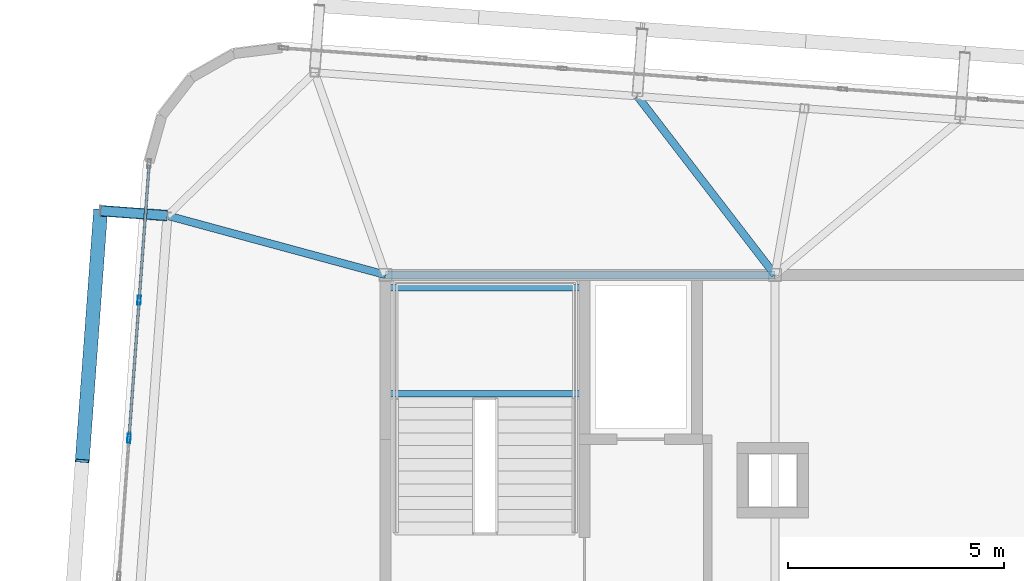
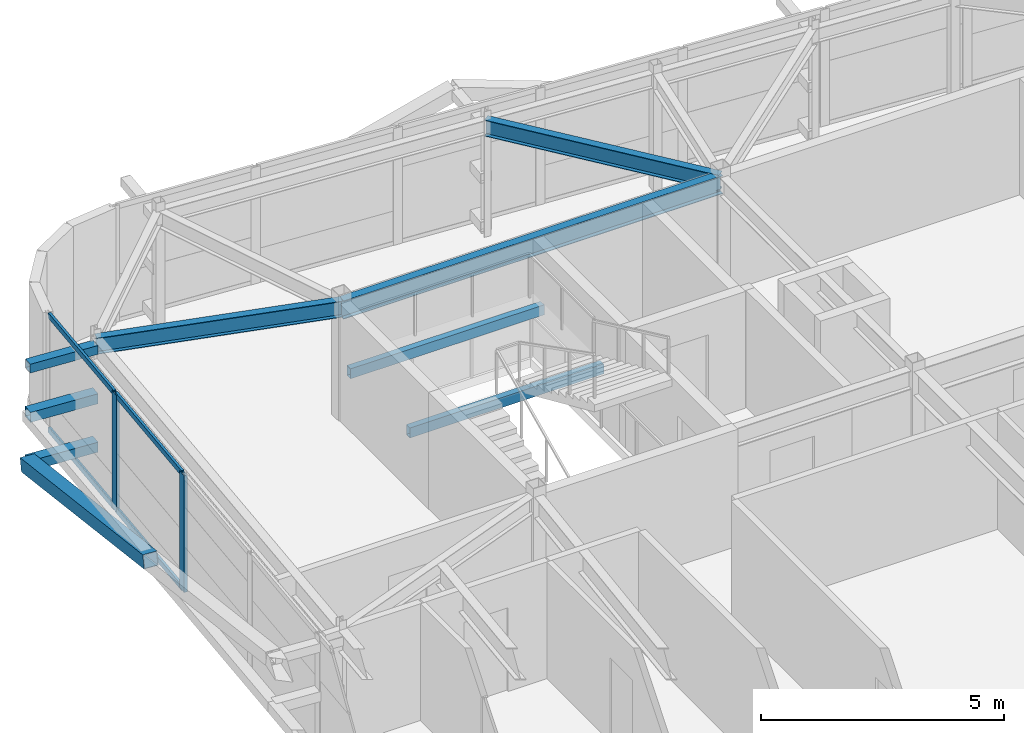
# One storey, part 17 of 42: 10 members, 5 beams, 1 element without a shape of its own.
"""IFC4 building model written with IfcOpenShell, lengths in metres."""

from ifc_helpers import new_model, si_unit, direction, frame, origin, origin_2d, place, context, subcontext, project, spatial, hollow_rectangle, i_section, extrude, source, transform, mapped, material, layer, layer_set, material_profile, profile_set, type_object, element, aggregate, save


model = new_model("IFC4")

# Units and contexts
model_context = context("Model", 3, precision=1e-05, world=origin(), true_north=direction((0.0, 1.0)))
body_context = subcontext(model_context, "Body", "Model", "MODEL_VIEW")
ifc_project = project(units=[si_unit("LENGTHUNIT", "METRE"), si_unit("AREAUNIT", "SQUARE_METRE"), si_unit("VOLUMEUNIT", "CUBIC_METRE"), si_unit("PLANEANGLEUNIT", "RADIAN"), si_unit("MASSUNIT", "GRAM", prefix="KILO")], contexts=[model_context])

# Site, building, storey
site_placement = place(None, origin())
site = spatial("IfcSite", under=ifc_project, at=site_placement, CompositionType="ELEMENT")
building_placement = place(site_placement, origin())
building = spatial("IfcBuilding", under=site, at=building_placement, Name="Taldren Reach Tower", CompositionType="ELEMENT")
storey_placement = place(building_placement, frame((0.0, 0.0, 224.0)))
storey = spatial("IfcBuildingStorey", under=building, at=storey_placement, Name="L68", CompositionType="ELEMENT", Elevation=224.0)

# Beams
ifc_material_1 = material(Name="Steel Gr 350 (350PLUS)", Category="steel")
ifc_material_profile_1 = material_profile(ifc_material_1, i_section(OverallWidth=0.19091796875, OverallDepth=0.4599609375, WebThickness=0.010009765625, FlangeThickness=0.01611328125, at=origin_2d()), Name="460UB82.1")
ifc_profile_set_1 = profile_set([ifc_material_profile_1], Name="Steel Gr 350 (350PLUS)")
beam_type_1 = type_object("IfcBeamType", Name="BM-UB460A", PredefinedType="BEAM", material=ifc_profile_set_1)
shared_shape_1 = source(origin(), body_context, "Body", "SweptSolid", [
    extrude(i_section(OverallWidth=0.19091796875, OverallDepth=0.4599609375, WebThickness=0.010009765625, FlangeThickness=0.01611328125, at=origin_2d()), origin(), (0.0, 0.0, 1.0), 9.0),
])
beam_1_placement = place(storey_placement, frame((19.0, 32.0, 2.699951171875), z_axis=(1.0, 0.0, 0.0), x_axis=(0.0, 1.0, 0.0)))
element("IfcBeam", 1, at=beam_1_placement, inside=storey, type_object=beam_type_1, Name="Core-spine girder L68-SP04", PredefinedType="BEAM", context=body_context, shape_type="MappedRepresentation", body=[
    mapped(shared_shape_1, transform((0.0, 0.0, 0.0), scale=1.0)),
])
ifc_material_profile_2 = material_profile(ifc_material_1, i_section(OverallWidth=0.177978515625, OverallDepth=0.406005859375, WebThickness=0.0078125, FlangeThickness=0.0126953125, at=origin_2d()), Name="410UB59.7")
ifc_profile_set_2 = profile_set([ifc_material_profile_2], Name="Steel Gr 350 (350PLUS)")
beam_type_2 = type_object("IfcBeamType", Name="BM-UB410", PredefinedType="BEAM", material=ifc_profile_set_2)
shared_shape_2 = source(origin(), body_context, "Body", "SweptSolid", [
    extrude(i_section(OverallWidth=0.177978515625, OverallDepth=0.406005859375, WebThickness=0.0078125, FlangeThickness=0.0126953125, at=origin_2d()), origin(), (0.0, 0.0, 1.0), 5.213623046875),
])
beam_2_placement = place(storey_placement, frame((28.0, 32.0, 2.72705078125), z_axis=(-0.61002980411, 0.792378468976, 0.0), x_axis=(-0.792378468976, -0.61002980411, 0.0)))
element("IfcBeam", 2, at=beam_2_placement, inside=storey, type_object=beam_type_2, Name="Primary floor girder B5-N2 L68", PredefinedType="BEAM", context=body_context, shape_type="MappedRepresentation", body=[
    mapped(shared_shape_2, transform((0.0, 0.0, 0.0), scale=1.0)),
])
shared_shape_3 = source(origin(), body_context, "Body", "SweptSolid", [
    extrude(i_section(OverallWidth=0.177978515625, OverallDepth=0.406005859375, WebThickness=0.0078125, FlangeThickness=0.0126953125, at=origin_2d()), origin(), (0.0, 0.0, 1.0), 5.224365234375),
])
beam_3_placement = place(storey_placement, frame((19.0, 32.0, 2.72705078125), z_axis=(-0.965049032336, 0.262069390022, 0.0), x_axis=(-0.262069390022, -0.965049032336, 0.0)))
element("IfcBeam", 3, at=beam_3_placement, inside=storey, type_object=beam_type_2, Name="Primary floor girder B5-W3 L68", PredefinedType="BEAM", context=body_context, shape_type="MappedRepresentation", body=[
    mapped(shared_shape_3, transform((0.0, 0.0, 0.0), scale=1.0)),
])

# Members
ifc_material_2 = material(Name="Steel Gr 450 (C450L0)", Category="steel")
ifc_material_profile_3 = material_profile(ifc_material_2, hollow_rectangle(XDim=0.219970703125, YDim=0.219970703125, WallThickness=0.00830078125, at=origin_2d()), Name="220x220x8.2SHS")
ifc_profile_set_3 = profile_set([ifc_material_profile_3], Name="Steel Gr 450 (C450L0)")
member_type_1 = type_object("IfcMemberType", Name="MB-TIE219", PredefinedType="STRUT", material=ifc_profile_set_3)
shared_shape_4 = source(origin(), body_context, "Body", "SweptSolid", [
    extrude(hollow_rectangle(XDim=0.219970703125, YDim=0.219970703125, WallThickness=0.00830078125, at=origin_2d()), origin(), (0.0, 0.0, 1.0), 1.5458984375),
])
member_1_placement = place(storey_placement, frame((13.9541015625, 33.369384765625, 2.64990234375), z_axis=(-0.997311530447, 0.073278313559, 0.0), x_axis=(-0.073278313559, -0.997311530447, 0.0)))
element("IfcMember", 4, at=member_1_placement, inside=storey, type_object=member_type_1, Name="Exoskeleton diaphragm tie strut B5-W3 L68", PredefinedType="STRUT", context=body_context, shape_type="MappedRepresentation", body=[
    mapped(shared_shape_4, transform((0.0, 0.0, 0.0), scale=1.0)),
])
ifc_material_profile_4 = material_profile(ifc_material_2, hollow_rectangle(XDim=0.324951171875, YDim=0.324951171875, WallThickness=0.0126953125, at=origin_2d()), Name="325x325x12.7SHS")
ifc_profile_set_4 = profile_set([ifc_material_profile_4], Name="Steel Gr 450 (C450L0)")
member_type_2 = type_object("IfcMemberType", Name="MB-BR324", PredefinedType="BRACE", material=ifc_profile_set_4)
shared_shape_5 = source(origin(), body_context, "Body", "SweptSolid", [
    extrude(hollow_rectangle(XDim=0.324951171875, YDim=0.324951171875, WallThickness=0.0126953125, at=origin_2d()), origin(), (0.0, 0.0, 1.0), 5.926025390625),
])
member_2_placement = place(storey_placement, frame((12.412353515625, 33.482666015625, 0.219970703125), z_axis=(-0.071685935393, -0.976123486939, 0.205046494513), x_axis=(0.997314185625, -0.073242167855, 0.0)))
element("IfcMember", 5, at=member_2_placement, inside=storey, type_object=member_type_2, Name="Exoskeleton Diagrid Brace B5-W2 L68", PredefinedType="BRACE", context=body_context, shape_type="MappedRepresentation", body=[
    mapped(shared_shape_5, transform((0.0, 0.0, 0.0), scale=1.0)),
])
ifc_material_3 = material(Name="Steel Gr 350 (C350L0)", Category="steel")
ifc_material_profile_5 = material_profile(ifc_material_3, hollow_rectangle(XDim=0.25, YDim=0.25, WallThickness=0.010009765625, at=origin_2d()), Name="250x250x10.0SHS")
ifc_profile_set_5 = profile_set([ifc_material_profile_5], Name="Steel Gr 350 (C350L0)")
member_type_3 = type_object("IfcMemberType", Name="MB-POST250", PredefinedType="POST", material=ifc_profile_set_5)
shared_shape_6 = source(origin(), body_context, "Body", "SweptSolid", [
    extrude(hollow_rectangle(XDim=0.25, YDim=0.25, WallThickness=0.010009765625, at=origin_2d()), origin(), (0.0, 0.0, 1.0), 1.5458984375),
])
for number, where, z_axis, x_axis, name in (
    (6, (13.9541015625, 33.369384765625, 0.219970703125), (-0.997311530447, 0.073278313559, 0.0), (-0.073278313559, -0.997311530447, 0.0), "Exoskeleton base diaphragm tie strut B5-W3 L68"),
    (7, (13.9541015625, 33.369384765625, 1.43505859375), (-0.997311530447, 0.073278313559, 0.0), (-0.073278313559, -0.997311530447, 0.0), "Exoskeleton mid-tier diaphragm tie B5-W3 L68"),
):
    element("IfcMember", number, at=place(storey_placement, frame(where, z_axis=z_axis, x_axis=x_axis)), inside=storey, type_object=member_type_3, Name=name, PredefinedType="POST", context=body_context, shape_type="MappedRepresentation", body=[
        mapped(shared_shape_6, transform((0.0, 0.0, 0.0), scale=1.0)),
    ])

# Curtain wall, members
ifc_material_4 = material(Name="Aluminium and Low-E Glass Unitised System", Category="aluminium")
ifc_layer = layer(ifc_material_4, 0.159912109375)
ifc_layer_set = layer_set([ifc_layer], Name="Aluminium and Low-E Glass Unitised System")
curtain_wall_type = type_object("IfcCurtainWallType", Name="CW-SYS-6", PredefinedType="NOTDEFINED", material=ifc_layer_set)
curtain_wall_placement = place(storey_placement, origin())
curtain_wall = element("IfcCurtainWall", 8, at=curtain_wall_placement, inside=storey, type_object=curtain_wall_type, Name="Unitised curtain wall CW-L68-W", PredefinedType="NOTDEFINED")
ifc_material_5 = material(Name="Anodised Aluminium 6063-T6", Category="aluminium")
ifc_material_profile_6 = material_profile(ifc_material_5, hollow_rectangle(XDim=0.074951171875, YDim=0.2099609375, WallThickness=0.00439453125, at=origin_2d()), Name="ALU-210x75x4.5RHS")
ifc_profile_set_6 = profile_set([ifc_material_profile_6], Name="Anodised Aluminium 6063-T6")
member_type_4 = type_object("IfcMemberType", Name="CW-MUL-200", PredefinedType="MULLION", material=ifc_profile_set_6)
shared_shape_7 = source(origin(), body_context, "Body", "SweptSolid", [
    extrude(hollow_rectangle(XDim=0.074951171875, YDim=0.2099609375, WallThickness=0.00439453125, at=origin_2d()), origin(), (0.0, 0.0, 1.0), 2.929931640625),
])
member_3_placement = place(storey_placement, frame((13.30322265625, 31.411865234375, 0.0), z_axis=(0.0, 0.0, 1.0), x_axis=(0.997314470951, -0.073238282558, 0.0)))
member_3 = element("IfcMember", 9, at=member_3_placement, type_object=member_type_4, Name="CW-6 mullion 2", PredefinedType="MULLION", context=body_context, shape_type="MappedRepresentation", body=[
    mapped(shared_shape_7, transform((0.0, 0.0, 0.0), scale=1.0)),
])
member_4_placement = place(storey_placement, frame((13.06884765625, 28.220458984375, 0.0), z_axis=(0.0, 0.0, 1.0), x_axis=(0.997314470951, -0.073238282558, 0.0)))
member_4 = element("IfcMember", 10, at=member_4_placement, type_object=member_type_4, Name="CW-6 mullion 3", PredefinedType="MULLION", context=body_context, shape_type="MappedRepresentation", body=[
    mapped(shared_shape_7, transform((0.0, 0.0, 0.0), scale=1.0)),
])
ifc_material_profile_7 = material_profile(ifc_material_5, hollow_rectangle(XDim=0.06005859375, YDim=0.135009765625, WallThickness=0.00341796875, at=origin_2d()), Name="ALU-135x60x3.5RHS")
ifc_profile_set_7 = profile_set([ifc_material_profile_7], Name="Anodised Aluminium 6063-T6")
member_type_5 = type_object("IfcMemberType", Name="CW-TRN-150", PredefinedType="USERDEFINED", material=ifc_profile_set_7)
shared_shape_8 = source(origin(), body_context, "Body", "SweptSolid", [
    extrude(hollow_rectangle(XDim=0.06005859375, YDim=0.135009765625, WallThickness=0.00341796875, at=origin_2d()), origin(), (0.0, 0.0, 1.0), 3.08740234375),
])
member_5_placement = place(storey_placement, frame((13.531982421875, 34.5283203125, 0.030029296875), z_axis=(-0.073225031802, -0.997315443938, 0.0), x_axis=(0.997315443938, -0.073225031802, 0.0)))
member_5 = element("IfcMember", 11, at=member_5_placement, type_object=member_type_5, Name="CW-6 transom 1.1", ObjectType="TRANSOM", PredefinedType="USERDEFINED", context=body_context, shape_type="MappedRepresentation", body=[
    mapped(shared_shape_8, transform((0.0, 0.0, 0.0), scale=1.0)),
])
member_6_placement = place(storey_placement, frame((13.531982421875, 34.5283203125, 2.89990234375), z_axis=(-0.073225031802, -0.997315443938, 0.0), x_axis=(0.997315443938, -0.073225031802, 0.0)))
member_6 = element("IfcMember", 12, at=member_6_placement, type_object=member_type_5, Name="CW-6 transom 1.2", ObjectType="TRANSOM", PredefinedType="USERDEFINED", context=body_context, shape_type="MappedRepresentation", body=[
    mapped(shared_shape_8, transform((0.0, 0.0, 0.0), scale=1.0)),
])
shared_shape_9 = source(origin(), body_context, "Body", "SweptSolid", [
    extrude(hollow_rectangle(XDim=0.06005859375, YDim=0.135009765625, WallThickness=0.00341796875, at=origin_2d()), origin(), (0.0, 0.0, 1.0), 3.125),
])
member_7_placement = place(storey_placement, frame((13.30029296875, 31.37451171875, 0.030029296875), z_axis=(-0.073201175928, -0.997317195201, 0.0), x_axis=(0.997317195201, -0.073201175928, 0.0)))
member_7 = element("IfcMember", 13, at=member_7_placement, type_object=member_type_5, Name="CW-6 transom 2.1", ObjectType="TRANSOM", PredefinedType="USERDEFINED", context=body_context, shape_type="MappedRepresentation", body=[
    mapped(shared_shape_9, transform((0.0, 0.0, 0.0), scale=1.0)),
])
member_8_placement = place(storey_placement, frame((13.30029296875, 31.37451171875, 2.89990234375), z_axis=(-0.073201175928, -0.997317195201, 0.0), x_axis=(0.997317195201, -0.073201175928, 0.0)))
member_8 = element("IfcMember", 14, at=member_8_placement, type_object=member_type_5, Name="CW-6 transom 2.2", ObjectType="TRANSOM", PredefinedType="USERDEFINED", context=body_context, shape_type="MappedRepresentation", body=[
    mapped(shared_shape_9, transform((0.0, 0.0, 0.0), scale=1.0)),
])
aggregate(curtain_wall, [member_3, member_4, member_5, member_6, member_7, member_8])

# Beams
ifc_material_profile_8 = material_profile(ifc_material_3, hollow_rectangle(XDim=0.14990234375, YDim=0.25, WallThickness=0.009033203125, at=origin_2d()), Name="250x150x9.0RHS")
ifc_profile_set_8 = profile_set([ifc_material_profile_8], Name="Steel Gr 350 (C350L0)")
beam_type_3 = type_object("IfcBeamType", Name="LN-RHS250", PredefinedType="LINTEL", material=ifc_profile_set_8)
shared_shape_10 = source(origin(), body_context, "Body", "SweptSolid", [
    extrude(hollow_rectangle(XDim=0.14990234375, YDim=0.25, WallThickness=0.009033203125, at=origin_2d()), origin(), (0.0, 0.0, 1.0), 4.60009765625),
])
for number, where, z_axis, x_axis, name in (
    (15, (19.0, 29.2548828125, 1.27001953125), (1.0, 0.0, 0.0), (0.0, 1.0, 0.0), "Stair half-landing support beam ST1-L68-1"),
    (16, (19.0, 31.699951171875, 1.27001953125), (1.0, 0.0, 0.0), (0.0, 1.0, 0.0), "Stair half-landing support beam ST1-L68-2"),
):
    element("IfcBeam", number, at=place(storey_placement, frame(where, z_axis=z_axis, x_axis=x_axis)), inside=storey, type_object=beam_type_3, Name=name, PredefinedType="LINTEL", context=body_context, shape_type="MappedRepresentation", body=[
        mapped(shared_shape_10, transform((0.0, 0.0, 0.0), scale=1.0)),
    ])

save(model, "model.ifc")
